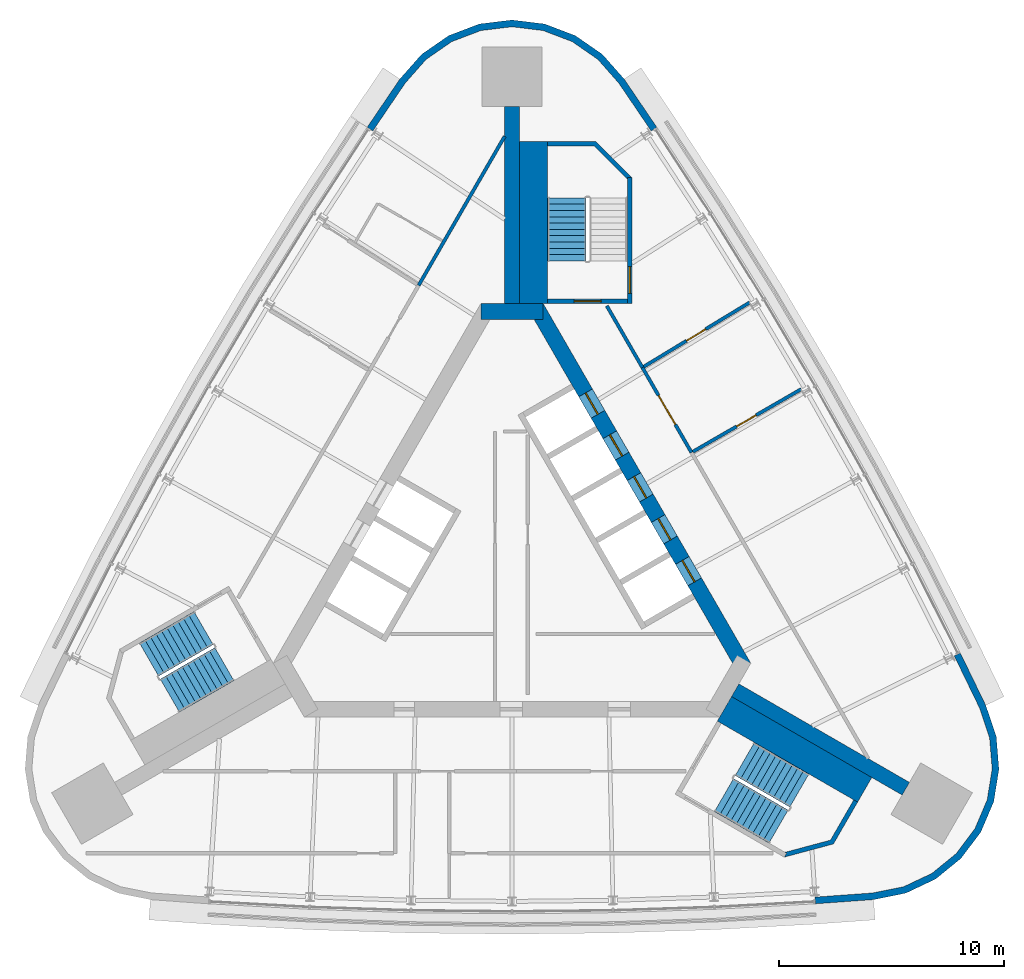
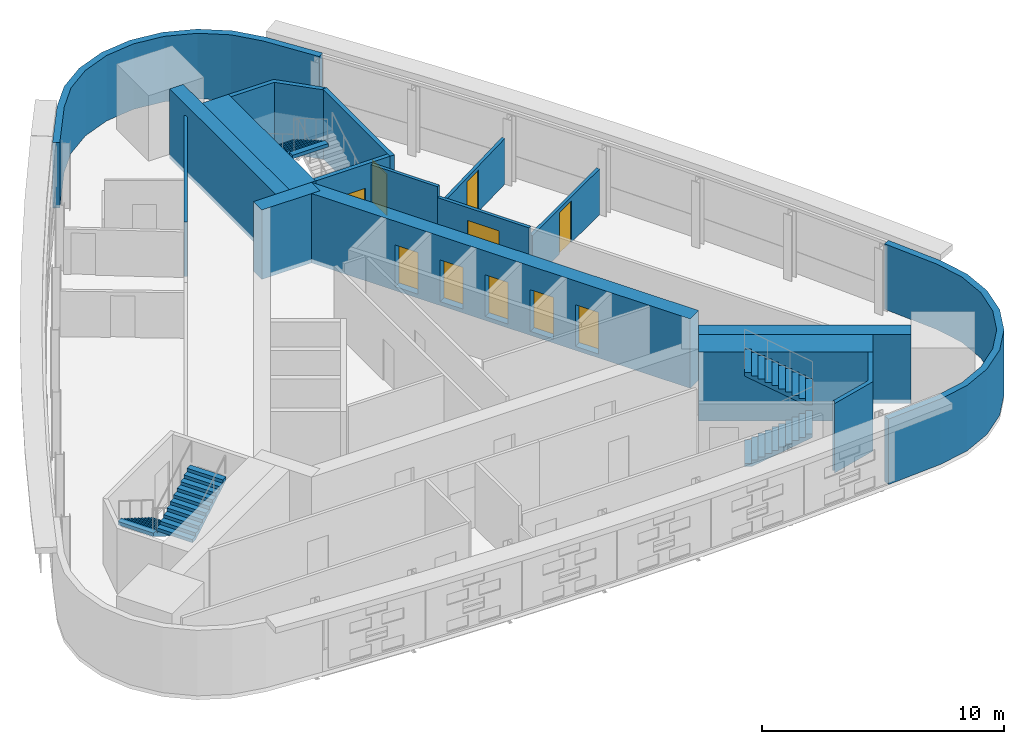
# One storey, part 8 of 11: 17 walls, 10 doors, 5 stair flights, 10 openings, 3 elements without a shape of their own.
"""IFC4 building model written with IfcOpenShell, lengths in metres."""

import ifcopenshell
import ifcopenshell.guid

model = None  # the IFC model being written
_history = None  # IfcOwnerHistory: only IFC2X3 demands one
_inside = {}  # id of a spatial element -> (the spatial element, [elements in it])
_under = {}  # id of a project, library or spatial element -> (it, [spatial elements below it])
_declared = {}  # id of a project -> (the project, [libraries it declares])
_typed = {}  # id of a type object -> (the type object, [elements of that type])
_made_of = {}  # id of a material, layer set ... -> (it, [elements and type objects made of it])


def new_model(schema):
    """Start an empty IFC model of exactly this schema.

    Asked for "IFC4X3", IfcOpenShell would pick the latest addendum, in which some entities
    have other attributes; the version numbers below select the first issue.
    IFC2X3 requires an IfcOwnerHistory on every rooted entity: one is made here for all.
    """
    global model, _history
    if schema == "IFC4X3":
        model = ifcopenshell.file(schema_version=(4, 3, 0, 0))
    else:
        model = ifcopenshell.file(schema=schema)
    _inside.clear()
    _under.clear()
    _declared.clear()
    _typed.clear()
    _made_of.clear()
    _history = None
    if model.schema == "IFC2X3":
        org = make("IfcOrganization", Name="unknown")
        user = make(
            "IfcPersonAndOrganization",
            ThePerson=make("IfcPerson", FamilyName="unknown"),
            TheOrganization=org,
        )
        app = make(
            "IfcApplication",
            ApplicationDeveloper=org,
            Version="unknown",
            ApplicationFullName="unknown",
            ApplicationIdentifier="unknown",
        )
        _history = make(
            "IfcOwnerHistory",
            OwningUser=user,
            OwningApplication=app,
            ChangeAction="ADDED",
            CreationDate=0,
        )
    return model


def make(cls, **values):
    """One entity of the class cls with the attributes given. An attribute that is None is left unset."""
    return model.create_entity(
        cls, **{name: value for name, value in values.items() if value is not None}
    )


def rooted(cls, **values):
    """An entity with a GlobalId (a new one), such as an element, a storey or a relation."""
    return make(cls, GlobalId=ifcopenshell.guid.new(), OwnerHistory=_history, **values)


def si_unit(unit_type, name, prefix=None):
    """IfcSIUnit, for example si_unit("LENGTHUNIT", "METRE", prefix="MILLI")."""
    return make("IfcSIUnit", UnitType=unit_type, Prefix=prefix, Name=name)


def assignment(units):
    """IfcUnitAssignment: the units of a project."""
    return None if units is None else make("IfcUnitAssignment", Units=units)


def point(xyz):
    """IfcCartesianPoint."""
    return None if xyz is None else make("IfcCartesianPoint", Coordinates=xyz)


def direction(xyz):
    """IfcDirection."""
    return None if xyz is None else make("IfcDirection", DirectionRatios=xyz)


def frame(location, z_axis=None, x_axis=None):
    """IfcAxis2Placement3D, a coordinate frame: its origin and axes. An axis left out is left unset."""
    return make(
        "IfcAxis2Placement3D",
        Location=point(location),
        Axis=direction(z_axis),
        RefDirection=direction(x_axis),
    )


def frame_2d(location, x_axis=None):
    """IfcAxis2Placement2D, a coordinate frame in the plane: its origin and x axis."""
    return make(
        "IfcAxis2Placement2D", Location=point(location), RefDirection=direction(x_axis)
    )


def origin():
    """The frame at (0, 0, 0) with its axes left unset."""
    return frame((0.0, 0.0, 0.0))


def place(relative_to, where):
    """IfcLocalPlacement: puts the frame where relative to a parent placement (None: the world)."""
    return make(
        "IfcLocalPlacement", PlacementRelTo=relative_to, RelativePlacement=where
    )


def context(
    kind, dimensions, precision=None, world=None, true_north=None, identifier=None
):
    """IfcGeometricRepresentationContext, for example the 3D "Model" context."""
    return make(
        "IfcGeometricRepresentationContext",
        ContextIdentifier=identifier,
        ContextType=kind,
        CoordinateSpaceDimension=dimensions,
        Precision=precision,
        WorldCoordinateSystem=world,
        TrueNorth=true_north,
    )


def subcontext(parent, identifier, kind, view, scale=None):
    """IfcGeometricRepresentationSubContext, for example "Body" below "Model"."""
    return make(
        "IfcGeometricRepresentationSubContext",
        ContextIdentifier=identifier,
        ContextType=kind,
        ParentContext=parent,
        TargetScale=scale,
        TargetView=view,
    )


def project(units=None, contexts=None):
    """IfcProject with its units and contexts."""
    return rooted(
        "IfcProject",
        Name="project",
        RepresentationContexts=contexts,
        UnitsInContext=assignment(units),
    )


def spatial(cls, under=None, at=None, **own):
    """A site, building, storey or space (cls), placed at a placement, below another one or the project."""
    s = rooted(cls, ObjectPlacement=at, **own)
    if under is not None:
        _under.setdefault(under.id(), (under, []))[1].append(s)
    return s


def polyline(points):
    """IfcPolyline through the points."""
    return make("IfcPolyline", Points=[point(p) for p in points])


def profile(cls, at=None, kind="AREA", **sizes):
    """A parametric profile (cls). Its sizes go by their IFC names, for example OverallWidth=200.0."""
    return make(cls, ProfileType=kind, Position=at, **sizes)


def rectangle(**sizes):
    """IfcRectangleProfileDef."""
    return profile("IfcRectangleProfileDef", **sizes)


def outline(outer, holes=None, kind="AREA"):
    """IfcArbitraryClosedProfileDef: a profile drawn as a closed curve; with holes, ...WithVoids."""
    if holes is None:
        return make("IfcArbitraryClosedProfileDef", ProfileType=kind, OuterCurve=outer)
    return make(
        "IfcArbitraryProfileDefWithVoids",
        ProfileType=kind,
        OuterCurve=outer,
        InnerCurves=holes,
    )


def extrude(swept, where, along, depth):
    """IfcExtrudedAreaSolid: the profile swept, set in the frame where, extruded along a direction by depth."""
    return make(
        "IfcExtrudedAreaSolid",
        SweptArea=swept,
        Position=where,
        ExtrudedDirection=direction(along),
        Depth=depth,
    )


def shape(context_of_items, identifier, shape_type, items):
    """IfcShapeRepresentation: the items that make up one representation, for example the "Body"."""
    return make(
        "IfcShapeRepresentation",
        ContextOfItems=context_of_items,
        RepresentationIdentifier=identifier,
        RepresentationType=shape_type,
        Items=items,
    )


def material(Name=None, Category=None):
    """IfcMaterial."""
    return make("IfcMaterial", Name=Name, Category=Category)


def layer(
    of_material, thickness, ventilated=None, Name=None, Category=None, Priority=None
):
    """IfcMaterialLayer: one layer of a wall or slab, of a material (None: an air gap)."""
    return make(
        "IfcMaterialLayer",
        Material=of_material,
        LayerThickness=thickness,
        IsVentilated=ventilated,
        Name=Name,
        Category=Category,
        Priority=Priority,
    )


def layer_set(layers, Name=None):
    """IfcMaterialLayerSet."""
    return make("IfcMaterialLayerSet", MaterialLayers=layers, LayerSetName=Name)


def made_of(thing, what):
    """Note that an element or type object is made of a material, layer set ...; save() writes the relation."""
    if what is not None:
        _made_of.setdefault(what.id(), (what, []))[1].append(thing)
    return thing


def type_object(cls, material=None, **own):
    """A type object (cls), such as IfcWallType, which elements share."""
    return made_of(rooted(cls, **own), material)


def element(
    cls,
    number,
    at=None,
    inside=None,
    cuts=None,
    type_object=None,
    material=None,
    context=None,
    identifier="Body",
    shape_type=None,
    held_by="IfcProductDefinitionShape",
    body=None,
    shapes=None,
    **own,
):
    """One element of the class cls, such as IfcWall. Its Tag is "e" and its number.

    at: its placement. inside: the storey or other place that contains it. cuts: it is an
    opening in that element (IfcRelVoidsElement). A single representation is given by context,
    identifier, shape_type and body (its items); several are given by shapes. held_by: the class
    of the entity that holds the representations. save() writes the other relations.
    """
    e = rooted(cls, Tag="e%d" % number, ObjectPlacement=at, **own)
    if body is not None:
        shapes = [shape(context, identifier, shape_type, body)]
    if shapes is not None:
        e.Representation = make(held_by, Representations=shapes)
    if inside is not None:
        _inside.setdefault(inside.id(), (inside, []))[1].append(e)
    if cuts is not None:
        rooted(
            "IfcRelVoidsElement", RelatingBuildingElement=cuts, RelatedOpeningElement=e
        )
    if type_object is not None:
        _typed.setdefault(type_object.id(), (type_object, []))[1].append(e)
    return made_of(e, material)


def fill(opening, filler):
    """IfcRelFillsElement: the door or window that sits in an opening."""
    return rooted(
        "IfcRelFillsElement",
        RelatingOpeningElement=opening,
        RelatedBuildingElement=filler,
    )


def aggregate(whole, parts):
    """IfcRelAggregates: a whole, such as a stair, and the parts it consists of."""
    return rooted("IfcRelAggregates", RelatingObject=whole, RelatedObjects=parts)


def save(model, path):
    """Write the relations noted so far, then the file.

    IfcRelAggregates (storeys below a building ...), IfcRelContainedInSpatialStructure (elements
    in a storey), IfcRelDefinesByType, IfcRelAssociatesMaterial and IfcRelDeclares: one each for
    every whole, place, type object, material and project.
    """
    for whole, parts in _under.values():
        aggregate(whole, parts)
    for where, things in _inside.values():
        rooted(
            "IfcRelContainedInSpatialStructure",
            RelatedElements=things,
            RelatingStructure=where,
        )
    for kind, things in _typed.values():
        rooted("IfcRelDefinesByType", RelatedObjects=things, RelatingType=kind)
    for what, things in _made_of.values():
        rooted("IfcRelAssociatesMaterial", RelatedObjects=things, RelatingMaterial=what)
    for by, libraries in _declared.values():
        rooted("IfcRelDeclares", RelatingContext=by, RelatedDefinitions=libraries)
    model.write(path)


model = new_model("IFC4")

# Units and contexts
model_context = context("Model", 3, precision=1e-05, world=origin(), true_north=direction((0.0, 1.0)))
body_context = subcontext(model_context, "Body", "Model", "MODEL_VIEW")
ifc_project = project(units=[si_unit("LENGTHUNIT", "METRE"), si_unit("AREAUNIT", "SQUARE_METRE"), si_unit("VOLUMEUNIT", "CUBIC_METRE"), si_unit("PLANEANGLEUNIT", "RADIAN"), si_unit("MASSUNIT", "GRAM", prefix="KILO")], contexts=[model_context])

# Site, building, storey
site_placement = place(None, origin())
site = spatial("IfcSite", under=ifc_project, at=site_placement, CompositionType="ELEMENT")
building_placement = place(site_placement, origin())
building = spatial("IfcBuilding", under=site, at=building_placement, Name="Noor Cloister Tower", CompositionType="ELEMENT")
storey_placement = place(building_placement, frame((0.0, 0.0, 206.699951171875)))
storey = spatial("IfcBuildingStorey", under=building, at=storey_placement, Name="L53", CompositionType="ELEMENT", Elevation=206.699951171875)

# Walls
ifc_material_1 = material(Name="Concrete C70/85", Category="concrete")
ifc_layer_1 = layer(ifc_material_1, 0.64990234375)
ifc_layer_set_1 = layer_set([ifc_layer_1], Name="Buttress wall 650 C70/85")
wall_type_1 = type_object("IfcWallType", Name="Buttress wall 650 C70/85", PredefinedType="SHEAR", material=ifc_layer_set_1)
wall_1_placement = place(storey_placement, frame((0.0, 11.456298828125, -0.199951171875), z_axis=(0.0, 0.0, 1.0), x_axis=(0.0, 1.0, 0.0)))
element("IfcWall", 1, at=wall_1_placement, inside=storey, type_object=wall_type_1, Name="Buttress wall N L53", PredefinedType="SHEAR", context=body_context, shape_type="SweptSolid", body=[
    extrude(rectangle(XDim=8.7578125, YDim=0.64990234375, at=frame_2d((4.37890625, 0.0))), origin(), (0.0, 0.0, 1.0), 3.5),
])
wall_2_placement = place(storey_placement, frame((9.921630859375, -5.728271484375, -0.199951171875), z_axis=(0.0, 0.0, 1.0), x_axis=(0.866030064713, -0.499991926948, 0.0)))
element("IfcWall", 2, at=wall_2_placement, inside=storey, type_object=wall_type_1, Name="Buttress wall SE L53", PredefinedType="SHEAR", context=body_context, shape_type="SweptSolid", body=[
    extrude(rectangle(XDim=8.757568359375, YDim=0.64990234375, at=frame_2d((4.37890625, 0.0))), origin(), (0.0, 0.0, 1.0), 3.5),
])

# Wall, openings, doors
ifc_material_2 = material(Name="Concrete C70/85", Category="concrete")
ifc_layer_2 = layer(ifc_material_2, 0.699951171875)
ifc_layer_set_2 = layer_set([ifc_layer_2], Name="Core wall 700 C70/85")
wall_type_2 = type_object("IfcWallType", Name="Core wall 700 C70/85", PredefinedType="SHEAR", material=ifc_layer_set_2)
wall_3_placement = place(storey_placement, frame((10.311279296875, -4.703125, -0.199951171875), z_axis=(0.0, 0.0, 1.0), x_axis=(-0.500001446645, 0.866024568562, 0.0)))
wall_3 = element("IfcWall", 3, at=wall_3_placement, inside=storey, type_object=wall_type_2, Name="Core wall L53 3", PredefinedType="SHEAR", context=body_context, shape_type="SweptSolid", body=[
    extrude(rectangle(XDim=18.45751953125, YDim=0.699951171875, at=frame_2d((9.228759765625, 0.0))), origin(), (0.0, 0.0, 1.0), 3.5),
])
opening_1_placement = place(wall_3_placement, frame((4.378662109375, 0.0, 0.199951171875)))
opening_1 = element("IfcOpeningElement", 4, at=opening_1_placement, cuts=wall_3, Name="Opening L53-HR1", PredefinedType="OPENING", context=body_context, shape_type="SweptSolid", body=[
    extrude(rectangle(XDim=1.10009765625, YDim=2.10009765625, at=frame_2d((0.550048828125, 1.050048828125))), frame((0.0, 0.35986328125, 0.0), z_axis=(0.0, -1.0, 0.0), x_axis=(1.0, 0.0, 0.0)), (0.0, 0.0, 1.0), 0.719970703125),
])
opening_2_placement = place(wall_3_placement, frame((6.52880859375, 0.0, 0.199951171875)))
opening_2 = element("IfcOpeningElement", 5, at=opening_2_placement, cuts=wall_3, Name="Opening L53-HR2", PredefinedType="OPENING", context=body_context, shape_type="SweptSolid", body=[
    extrude(rectangle(XDim=1.10009765625, YDim=2.10009765625, at=frame_2d((0.550048828125, 1.050048828125))), frame((0.0, 0.35986328125, 0.0), z_axis=(0.0, -1.0, 0.0), x_axis=(1.0, 0.0, 0.0)), (0.0, 0.0, 1.0), 0.719970703125),
])
opening_3_placement = place(wall_3_placement, frame((8.6787109375, 0.0, 0.199951171875)))
opening_3 = element("IfcOpeningElement", 6, at=opening_3_placement, cuts=wall_3, Name="Opening L53-HR3", PredefinedType="OPENING", context=body_context, shape_type="SweptSolid", body=[
    extrude(rectangle(XDim=1.10009765625, YDim=2.10009765625, at=frame_2d((0.550048828125, 1.050048828125))), frame((0.0, 0.35986328125, 0.0), z_axis=(0.0, -1.0, 0.0), x_axis=(1.0, 0.0, 0.0)), (0.0, 0.0, 1.0), 0.719970703125),
])
opening_4_placement = place(wall_3_placement, frame((10.82861328125, 0.0, 0.199951171875)))
opening_4 = element("IfcOpeningElement", 7, at=opening_4_placement, cuts=wall_3, Name="Opening L53-HR4", PredefinedType="OPENING", context=body_context, shape_type="SweptSolid", body=[
    extrude(rectangle(XDim=1.10009765625, YDim=2.10009765625, at=frame_2d((0.550048828125, 1.050048828125))), frame((0.0, 0.35986328125, 0.0), z_axis=(0.0, -1.0, 0.0), x_axis=(1.0, 0.0, 0.0)), (0.0, 0.0, 1.0), 0.719970703125),
])
opening_5_placement = place(wall_3_placement, frame((12.978759765625, 0.0, 0.199951171875)))
opening_5 = element("IfcOpeningElement", 8, at=opening_5_placement, cuts=wall_3, Name="Opening L53-HR5", PredefinedType="OPENING", context=body_context, shape_type="SweptSolid", body=[
    extrude(rectangle(XDim=1.10009765625, YDim=2.10009765625, at=frame_2d((0.550048828125, 1.050048828125))), frame((0.0, 0.35986328125, 0.0), z_axis=(0.0, -1.0, 0.0), x_axis=(1.0, 0.0, 0.0)), (0.0, 0.0, 1.0), 0.719970703125),
])
ifc_material_3 = material(Name="Stainless steel", Category="steel")
door_type_1 = type_object("IfcDoorType", Name="Lift landing door 1100 x 2100", OperationType="DOUBLE_DOOR_SLIDING", PredefinedType="DOOR", material=ifc_material_3)
door_1_placement = place(opening_1_placement, origin())
door_1 = element("IfcDoor", 9, at=door_1_placement, inside=storey, type_object=door_type_1, Name="Landing door HR1 L53", OperationType="DOUBLE_DOOR_SLIDING", OverallHeight=2.10009765625, OverallWidth=1.10009765625, PredefinedType="DOOR", context=body_context, shape_type="SweptSolid", body=[
    extrude(rectangle(XDim=1.10009765625, YDim=2.10009765625, at=frame_2d((0.550048828125, 1.050048828125))), frame((0.0, 0.02490234375, 0.0), z_axis=(0.0, -1.0, 0.0), x_axis=(1.0, 0.0, 0.0)), (0.0, 0.0, 1.0), 0.050048828125),
])
fill(opening_1, door_1)
door_2_placement = place(opening_2_placement, origin())
door_2 = element("IfcDoor", 10, at=door_2_placement, inside=storey, type_object=door_type_1, Name="Landing door HR2 L53", OperationType="DOUBLE_DOOR_SLIDING", OverallHeight=2.10009765625, OverallWidth=1.10009765625, PredefinedType="DOOR", context=body_context, shape_type="SweptSolid", body=[
    extrude(rectangle(XDim=1.10009765625, YDim=2.10009765625, at=frame_2d((0.550048828125, 1.050048828125))), frame((0.0, 0.02490234375, 0.0), z_axis=(0.0, -1.0, 0.0), x_axis=(1.0, 0.0, 0.0)), (0.0, 0.0, 1.0), 0.050048828125),
])
fill(opening_2, door_2)
door_3_placement = place(opening_3_placement, origin())
door_3 = element("IfcDoor", 11, at=door_3_placement, inside=storey, type_object=door_type_1, Name="Landing door HR3 L53", OperationType="DOUBLE_DOOR_SLIDING", OverallHeight=2.10009765625, OverallWidth=1.10009765625, PredefinedType="DOOR", context=body_context, shape_type="SweptSolid", body=[
    extrude(rectangle(XDim=1.10009765625, YDim=2.10009765625, at=frame_2d((0.550048828125, 1.050048828125))), frame((0.0, 0.02490234375, 0.0), z_axis=(0.0, -1.0, 0.0), x_axis=(1.0, 0.0, 0.0)), (0.0, 0.0, 1.0), 0.050048828125),
])
fill(opening_3, door_3)
door_4_placement = place(opening_4_placement, origin())
door_4 = element("IfcDoor", 12, at=door_4_placement, inside=storey, type_object=door_type_1, Name="Landing door HR4 L53", OperationType="DOUBLE_DOOR_SLIDING", OverallHeight=2.10009765625, OverallWidth=1.10009765625, PredefinedType="DOOR", context=body_context, shape_type="SweptSolid", body=[
    extrude(rectangle(XDim=1.10009765625, YDim=2.10009765625, at=frame_2d((0.550048828125, 1.050048828125))), frame((0.0, 0.02490234375, 0.0), z_axis=(0.0, -1.0, 0.0), x_axis=(1.0, 0.0, 0.0)), (0.0, 0.0, 1.0), 0.050048828125),
])
fill(opening_4, door_4)
door_5_placement = place(opening_5_placement, origin())
door_5 = element("IfcDoor", 13, at=door_5_placement, inside=storey, type_object=door_type_1, Name="Landing door HR5 L53", OperationType="DOUBLE_DOOR_SLIDING", OverallHeight=2.10009765625, OverallWidth=1.10009765625, PredefinedType="DOOR", context=body_context, shape_type="SweptSolid", body=[
    extrude(rectangle(XDim=1.10009765625, YDim=2.10009765625, at=frame_2d((0.550048828125, 1.050048828125))), frame((0.0, 0.02490234375, 0.0), z_axis=(0.0, -1.0, 0.0), x_axis=(1.0, 0.0, 0.0)), (0.0, 0.0, 1.0), 0.050048828125),
])
fill(opening_5, door_5)

# Walls
wall_4_placement = place(storey_placement, frame((1.3857421875, 11.1064453125, -0.199951171875), z_axis=(0.0, 0.0, 1.0), x_axis=(-1.0, 0.0, 0.0)))
element("IfcWall", 14, at=wall_4_placement, inside=storey, type_object=wall_type_2, Name="Core wall L53 4", PredefinedType="SHEAR", context=body_context, shape_type="SweptSolid", body=[
    extrude(rectangle(XDim=2.771484375, YDim=0.699951171875, at=frame_2d((1.3857421875, 0.0))), origin(), (0.0, 0.0, 1.0), 3.5),
])
ifc_material_4 = material(Name="Fire-rated gypsum board partition on steel studs, 150 mm", Category="steel")
ifc_layer_3 = layer(ifc_material_4, 0.14990234375)
ifc_layer_set_3 = layer_set([ifc_layer_3], Name="Fire lobby wall 150")
wall_type_3 = type_object("IfcWallType", Name="Fire lobby wall 150", PredefinedType="PARTITIONING", material=ifc_layer_set_3)
wall_5_placement = place(storey_placement, frame((-0.324951171875, 18.8935546875, 0.0), z_axis=(0.0, 0.0, 1.0), x_axis=(-0.499994868576, -0.866028366393, 0.0)))
element("IfcWall", 15, at=wall_5_placement, inside=storey, type_object=wall_type_3, Name="Wall L53-W14", PredefinedType="PARTITIONING", context=body_context, shape_type="SweptSolid", body=[
    extrude(rectangle(XDim=7.654296875, YDim=0.14990234375, at=frame_2d((3.8271484375, 0.0))), origin(), (0.0, 0.0, 1.0), 2.751953125),
])
ifc_material_5 = material(Name="Gypsum board partition on steel studs, 150 mm", Category="steel")
ifc_layer_4 = layer(ifc_material_5, 0.14990234375)
ifc_layer_set_4 = layer_set([ifc_layer_4], Name="Flat wall 150")
wall_type_4 = type_object("IfcWallType", Name="Flat wall 150", PredefinedType="PARTITIONING", material=ifc_layer_set_4)
wall_6_placement = place(storey_placement, frame((5.79736328125, 8.614990234375, 0.0), z_axis=(0.0, 0.0, 1.0), x_axis=(-0.499996172356, 0.866027613664, 0.0)))
element("IfcWall", 16, at=wall_6_placement, inside=storey, type_object=wall_type_4, Name="Wall L53-W02", PredefinedType="PARTITIONING", context=body_context, shape_type="SweptSolid", body=[
    extrude(rectangle(XDim=3.16552734375, YDim=0.14990234375, at=frame_2d((1.582763671875, 0.0))), origin(), (0.0, 0.0, 1.0), 3.300048828125),
])

# Wall, opening, door
wall_7_placement = place(storey_placement, frame((12.859619140625, 7.655517578125, 0.0), z_axis=(0.0, 0.0, 1.0), x_axis=(-0.866013784358, -0.500020124897, 0.0)))
wall_7 = element("IfcWall", 17, at=wall_7_placement, inside=storey, type_object=wall_type_4, Name="Wall L53-W03", PredefinedType="PARTITIONING", context=body_context, shape_type="SweptSolid", body=[
    extrude(rectangle(XDim=5.561279296875, YDim=0.14990234375, at=frame_2d((2.78076171875, 0.0))), origin(), (0.0, 0.0, 1.0), 2.297119140625),
])
opening_6_placement = place(wall_7_placement, frame((2.318115234375, 0.0, 0.0)))
opening_6 = element("IfcOpeningElement", 18, at=opening_6_placement, cuts=wall_7, Name="Opening L53-002", PredefinedType="OPENING", context=body_context, shape_type="SweptSolid", body=[
    extrude(rectangle(XDim=1.0, YDim=2.10009765625, at=frame_2d((0.5, 1.050048828125))), frame((0.0, 0.0849609375, 0.0), z_axis=(0.0, -1.0, 0.0), x_axis=(1.0, 0.0, 0.0)), (0.0, 0.0, 1.0), 0.169921875),
])
ifc_material_6 = material(Name="Timber door leaf with steel frame", Category="steel")
door_type_2 = type_object("IfcDoorType", Name="Interior door 1000 FD60", OperationType="NOTDEFINED", PredefinedType="DOOR", material=ifc_material_6)
door_6_placement = place(opening_6_placement, origin())
door_6 = element("IfcDoor", 19, at=door_6_placement, inside=storey, type_object=door_type_2, Name="Door L53-002", OperationType="SINGLE_SWING_RIGHT", OverallHeight=2.10009765625, OverallWidth=1.0, PredefinedType="DOOR", context=body_context, shape_type="SweptSolid", body=[
    extrude(rectangle(XDim=1.0, YDim=2.10009765625, at=frame_2d((0.5, 1.050048828125))), frame((0.0, 0.02490234375, 0.0), z_axis=(0.0, -1.0, 0.0), x_axis=(1.0, 0.0, 0.0)), (0.0, 0.0, 1.0), 0.050048828125),
])
fill(opening_6, door_6)

wall_8_placement = place(storey_placement, frame((10.5712890625, 11.51220703125, 0.0), z_axis=(0.0, 0.0, 1.0), x_axis=(-0.854873861195, -0.518835890668, 0.0)))
wall_8 = element("IfcWall", 20, at=wall_8_placement, inside=storey, type_object=wall_type_4, Name="Wall L53-W04", PredefinedType="PARTITIONING", context=body_context, shape_type="SweptSolid", body=[
    extrude(rectangle(XDim=5.50927734375, YDim=0.14990234375, at=frame_2d((2.754638671875, 0.0))), origin(), (0.0, 0.0, 1.0), 2.297119140625),
])
opening_7_placement = place(wall_8_placement, frame((2.292236328125, 0.0, 0.0)))
opening_7 = element("IfcOpeningElement", 21, at=opening_7_placement, cuts=wall_8, Name="Opening L53-003", PredefinedType="OPENING", context=body_context, shape_type="SweptSolid", body=[
    extrude(rectangle(XDim=1.0, YDim=2.10009765625, at=frame_2d((0.5, 1.050048828125))), frame((0.0, 0.0849609375, 0.0), z_axis=(0.0, -1.0, 0.0), x_axis=(1.0, 0.0, 0.0)), (0.0, 0.0, 1.0), 0.169921875),
])
door_7_placement = place(opening_7_placement, origin())
door_7 = element("IfcDoor", 22, at=door_7_placement, inside=storey, type_object=door_type_2, Name="Door L53-003", OperationType="SINGLE_SWING_LEFT", OverallHeight=2.10009765625, OverallWidth=1.0, PredefinedType="DOOR", context=body_context, shape_type="SweptSolid", body=[
    extrude(rectangle(XDim=1.0, YDim=2.10009765625, at=frame_2d((0.5, 1.050048828125))), frame((0.0, 0.02490234375, 0.0), z_axis=(0.0, -1.0, 0.0), x_axis=(1.0, 0.0, 0.0)), (0.0, 0.0, 1.0), 0.050048828125),
])
fill(opening_7, door_7)

wall_9_placement = place(storey_placement, frame((7.978515625, 4.83740234375, 0.0), z_axis=(0.0, 0.0, 1.0), x_axis=(-0.500027674414, 0.866009425365, 0.0)))
wall_9 = element("IfcWall", 23, at=wall_9_placement, inside=storey, type_object=wall_type_4, Name="Wall L53-W05", PredefinedType="PARTITIONING", context=body_context, shape_type="SweptSolid", body=[
    extrude(rectangle(XDim=4.362060546875, YDim=0.14990234375, at=frame_2d((2.18115234375, 0.0))), origin(), (0.0, 0.0, 1.0), 2.751953125),
])
opening_8_placement = place(wall_9_placement, frame((1.430908203125, 0.0, 0.0)))
opening_8 = element("IfcOpeningElement", 24, at=opening_8_placement, cuts=wall_9, Name="Opening L53-001", PredefinedType="OPENING", context=body_context, shape_type="SweptSolid", body=[
    extrude(rectangle(XDim=1.5, YDim=2.10009765625, at=frame_2d((0.75, 1.050048828125))), frame((0.0, 0.0849609375, 0.0), z_axis=(0.0, -1.0, 0.0), x_axis=(1.0, 0.0, 0.0)), (0.0, 0.0, 1.0), 0.169921875),
])
ifc_material_7 = material(Name="Timber door leaf with steel frame", Category="steel")
door_type_3 = type_object("IfcDoorType", Name="Double door 1500 FD60", OperationType="NOTDEFINED", PredefinedType="DOOR", material=ifc_material_7)
door_8_placement = place(opening_8_placement, origin())
door_8 = element("IfcDoor", 25, at=door_8_placement, inside=storey, type_object=door_type_3, Name="Door L53-001", OperationType="DOUBLE_DOOR_SINGLE_SWING", OverallHeight=2.10009765625, OverallWidth=1.5, PredefinedType="DOOR", context=body_context, shape_type="SweptSolid", body=[
    extrude(rectangle(XDim=1.5, YDim=2.10009765625, at=frame_2d((0.75, 1.050048828125))), frame((0.0, 0.02490234375, 0.0), z_axis=(0.0, -1.0, 0.0), x_axis=(1.0, 0.0, 0.0)), (0.0, 0.0, 1.0), 0.050048828125),
])
fill(opening_8, door_8)

# Walls
ifc_material_8 = material(Name="Limestone", Category="masonry")
ifc_layer_5 = layer(ifc_material_8, 0.300048828125)
ifc_layer_set_5 = layer_set([ifc_layer_5], Name="Limestone cladding 300")
wall_type_5 = type_object("IfcWallType", Name="Limestone cladding 300", PredefinedType="NOTDEFINED", material=ifc_layer_set_5)
wall_10_placement = place(storey_placement, origin())
element("IfcWall", 26, at=wall_10_placement, inside=storey, type_object=wall_type_5, Name="Limestone pier cladding L53 2.1", PredefinedType="NOTDEFINED", context=body_context, shape_type="SweptSolid", body=[
    extrude(outline(polyline([(13.490234375, -15.2236328125), (16.074951171875, -15.037353515625), (17.507568359375, -14.747802734375), (18.82861328125, -14.123291015625), (19.96142578125, -13.199951171875), (20.83984375, -12.03173828125), (21.412353515625, -10.687255859375), (21.6455078125, -9.24462890625), (21.52587890625, -7.7880859375), (21.060302734375, -6.40283203125), (19.92919921875, -4.071044921875), (19.659423828125, -4.201904296875), (20.781982421875, -6.516357421875), (21.229736328125, -7.848876953125), (21.343505859375, -9.232666015625), (21.121826171875, -10.603271484375), (20.578125, -11.880859375), (19.74365234375, -12.990478515625), (18.66748046875, -13.86767578125), (17.412353515625, -14.4609375), (16.034423828125, -14.739501953125), (13.46875, -14.924560546875), (13.490234375, -15.2236328125)])), origin(), (0.0, 0.0, 1.0), 3.300048828125),
])
wall_11_placement = place(storey_placement, origin())
element("IfcWall", 27, at=wall_11_placement, inside=storey, type_object=wall_type_5, Name="Limestone pier cladding L53 3.1", PredefinedType="NOTDEFINED", context=body_context, shape_type="SweptSolid", body=[
    extrude(outline(polyline([(6.43896484375, 19.294677734375), (4.985107421875, 21.43994140625), (4.018310546875, 22.535888671875), (2.816650390625, 23.36767578125), (1.45068359375, 23.88720703125), (0.0, 24.063720703125), (-1.45068359375, 23.88720703125), (-2.816650390625, 23.36767578125), (-4.018310546875, 22.535888671875), (-4.985107421875, 21.43994140625), (-6.43896484375, 19.294677734375), (-6.190673828125, 19.12646484375), (-4.74755859375, 21.255859375), (-3.8173828125, 22.31005859375), (-2.676025390625, 23.100341796875), (-1.378173828125, 23.59375), (0.0, 23.761474609375), (1.378173828125, 23.59375), (2.676025390625, 23.100341796875), (3.8173828125, 22.31005859375), (4.74755859375, 21.255859375), (6.190673828125, 19.12646484375), (6.43896484375, 19.294677734375)])), origin(), (0.0, 0.0, 1.0), 3.300048828125),
])
ifc_material_9 = material(Name="Concrete C70/85", Category="concrete")
ifc_layer_6 = layer(ifc_material_9, 1.260986328125)
ifc_layer_set_6 = layer_set([ifc_layer_6], Name="Stair enclosure wall 1261 C70/85")
wall_type_6 = type_object("IfcWallType", Name="Stair enclosure wall 1261 C70/85", PredefinedType="SHEAR", material=ifc_layer_set_6)
wall_12_placement = place(storey_placement, frame((0.955322265625, 11.456298828125, -0.199951171875), z_axis=(0.0, 0.0, 1.0), x_axis=(0.0, 1.0, 0.0)))
element("IfcWall", 28, at=wall_12_placement, inside=storey, type_object=wall_type_6, Name="Stair enclosure wall ST1 L53 riser side", PredefinedType="SHEAR", context=body_context, shape_type="SweptSolid", body=[
    extrude(rectangle(XDim=7.2001953125, YDim=1.2607421875, at=frame_2d((3.60009765625, 0.0))), origin(), (0.0, 0.0, 1.0), 3.5),
])
wall_13_placement = place(storey_placement, frame((9.44384765625, -6.555419921875, -0.199951171875), z_axis=(0.0, 0.0, 1.0), x_axis=(0.866018442252, -0.500012057535, 0.0)))
element("IfcWall", 29, at=wall_13_placement, inside=storey, type_object=wall_type_6, Name="Stair enclosure wall ST3 L53 riser side", PredefinedType="SHEAR", context=body_context, shape_type="SweptSolid", body=[
    extrude(rectangle(XDim=7.199951171875, YDim=1.2607421875, at=frame_2d((3.60009765625, 0.0))), origin(), (0.0, 0.0, 1.0), 3.5),
])

# Wall, opening, door
ifc_material_10 = material(Name="Concrete C70/85", Category="concrete")
ifc_layer_7 = layer(ifc_material_10, 0.199951171875)
ifc_layer_set_7 = layer_set([ifc_layer_7], Name="Stair enclosure wall 200 C70/85")
wall_type_7 = type_object("IfcWallType", Name="Stair enclosure wall 200 C70/85", PredefinedType="SHEAR", material=ifc_layer_set_7)
wall_14_placement = place(storey_placement, frame((5.135498046875, 11.556396484375, -0.199951171875), z_axis=(0.0, 0.0, 1.0), x_axis=(-1.0, 0.0, 0.0)))
wall_14 = element("IfcWall", 30, at=wall_14_placement, inside=storey, type_object=wall_type_7, Name="Stair enclosure wall ST1 L53 near end", PredefinedType="SHEAR", context=body_context, shape_type="SweptSolid", body=[
    extrude(rectangle(XDim=3.5498046875, YDim=0.199951171875, at=frame_2d((1.77490234375, 0.0))), origin(), (0.0, 0.0, 1.0), 3.5),
])
opening_9_placement = place(wall_14_placement, frame((1.175048828125, 0.0, 0.199951171875)))
opening_9 = element("IfcOpeningElement", 31, at=opening_9_placement, cuts=wall_14, Name="Opening L53-ST1L", PredefinedType="OPENING", context=body_context, shape_type="SweptSolid", body=[
    extrude(rectangle(XDim=1.199951171875, YDim=2.10009765625, at=frame_2d((0.60009765625, 1.050048828125))), frame((0.0, 0.10986328125, 0.0), z_axis=(0.0, -1.0, 0.0), x_axis=(1.0, 0.0, 0.0)), (0.0, 0.0, 1.0), 0.219970703125),
])
ifc_material_11 = material(Name="Steel", Category="steel")
door_type_4 = type_object("IfcDoorType", Name="Stair door 1200 x 2100 FD120", OperationType="SINGLE_SWING_LEFT", PredefinedType="DOOR", material=ifc_material_11)
door_9_placement = place(opening_9_placement, origin())
door_9 = element("IfcDoor", 32, at=door_9_placement, inside=storey, type_object=door_type_4, Name="Stair door ST1 L53", OperationType="SINGLE_SWING_RIGHT", OverallHeight=2.10009765625, OverallWidth=1.199951171875, PredefinedType="DOOR", context=body_context, shape_type="SweptSolid", body=[
    extrude(rectangle(XDim=1.199951171875, YDim=2.10009765625, at=frame_2d((0.60009765625, 1.050048828125))), frame((0.0, 0.02490234375, 0.0), z_axis=(0.0, -1.0, 0.0), x_axis=(1.0, 0.0, 0.0)), (0.0, 0.0, 1.0), 0.050048828125),
])
fill(opening_9, door_9)

wall_15_placement = place(storey_placement, frame((5.235595703125, 11.456298828125, -0.199951171875), z_axis=(0.0, 0.0, 1.0), x_axis=(0.0, 1.0, 0.0)))
wall_15 = element("IfcWall", 33, at=wall_15_placement, inside=storey, type_object=wall_type_7, Name="Stair enclosure wall ST1 L53 outer side", PredefinedType="SHEAR", context=body_context, shape_type="SweptSolid", body=[
    extrude(rectangle(XDim=5.60009765625, YDim=0.199951171875, at=frame_2d((2.800048828125, 0.0))), origin(), (0.0, 0.0, 1.0), 3.5),
])
opening_10_placement = place(wall_15_placement, frame((0.449951171875, 0.0, 0.199951171875)))
opening_10 = element("IfcOpeningElement", 34, at=opening_10_placement, cuts=wall_15, Name="Opening L53-ST1C", PredefinedType="OPENING", context=body_context, shape_type="SweptSolid", body=[
    extrude(rectangle(XDim=1.199951171875, YDim=2.10009765625, at=frame_2d((0.60009765625, 1.050048828125))), frame((0.0, 0.10986328125, 0.0), z_axis=(0.0, -1.0, 0.0), x_axis=(1.0, 0.0, 0.0)), (0.0, 0.0, 1.0), 0.219970703125),
])
door_10_placement = place(opening_10_placement, origin())
door_10 = element("IfcDoor", 35, at=door_10_placement, inside=storey, type_object=door_type_4, Name="Stair door ST1 L53", OperationType="SINGLE_SWING_LEFT", OverallHeight=2.10009765625, OverallWidth=1.199951171875, PredefinedType="DOOR", context=body_context, shape_type="SweptSolid", body=[
    extrude(rectangle(XDim=1.199951171875, YDim=2.10009765625, at=frame_2d((0.60009765625, 1.050048828125))), frame((0.0, 0.02490234375, 0.0), z_axis=(0.0, -1.0, 0.0), x_axis=(1.0, 0.0, 0.0)), (0.0, 0.0, 1.0), 0.050048828125),
])
fill(opening_10, door_10)

# Walls
ifc_material_12 = material(Name="Concrete C70/85", Category="concrete")
wall_type_8 = type_object("IfcWallType", Name="Stair far end wall C70/85", PredefinedType="SHEAR", material=ifc_material_12)
wall_16_placement = place(storey_placement, frame((0.0, 0.0, -0.199951171875)))
element("IfcWall", 36, at=wall_16_placement, inside=storey, type_object=wall_type_8, Name="Stair enclosure wall ST1 L53 far end", PredefinedType="SHEAR", context=body_context, shape_type="SweptSolid", body=[
    extrude(outline(polyline([(5.335693359375, 17.056396484375), (3.735595703125, 18.656494140625), (1.585693359375, 18.656494140625), (1.585693359375, 18.456298828125), (3.65283203125, 18.456298828125), (5.135498046875, 16.9736328125), (5.135498046875, 17.056396484375), (5.135498046875, 17.056396484375), (5.135498046875, 17.056396484375), (5.135498046875, 17.056396484375), (5.135498046875, 17.056396484375), (5.135498046875, 17.056396484375), (5.135498046875, 17.056396484375), (5.135498046875, 17.056396484375), (5.135498046875, 17.056396484375), (5.135498046875, 17.056396484375), (5.135498046875, 17.056396484375), (5.135498046875, 17.056396484375), (5.135498046875, 17.056396484375), (5.135498046875, 17.056396484375), (5.135498046875, 17.056396484375), (5.135498046875, 17.056396484375), (5.135498046875, 17.056396484375), (5.335693359375, 17.056396484375)])), origin(), (0.0, 0.0, 1.0), 3.5),
])
wall_17_placement = place(storey_placement, frame((0.0, 0.0, -0.199951171875)))
element("IfcWall", 37, at=wall_17_placement, inside=storey, type_object=wall_type_8, Name="Stair enclosure wall ST3 L53 far end", PredefinedType="SHEAR", context=body_context, shape_type="SweptSolid", body=[
    extrude(outline(polyline([(12.103515625, -13.14892578125), (14.2890625, -12.5634765625), (15.364013671875, -10.701416015625), (15.19091796875, -10.601318359375), (14.1572265625, -12.3916015625), (12.131591796875, -12.934326171875), (12.20361328125, -12.975830078125), (12.20361328125, -12.975830078125), (12.20361328125, -12.975830078125), (12.20361328125, -12.975830078125), (12.20361328125, -12.975830078125), (12.20361328125, -12.975830078125), (12.20361328125, -12.975830078125), (12.20361328125, -12.975830078125), (12.20361328125, -12.975830078125), (12.20361328125, -12.975830078125), (12.20361328125, -12.975830078125), (12.20361328125, -12.975830078125), (12.20361328125, -12.975830078125), (12.20361328125, -12.975830078125), (12.20361328125, -12.975830078125), (12.20361328125, -12.975830078125), (12.20361328125, -12.975830078125), (12.103515625, -13.14892578125)])), origin(), (0.0, 0.0, 1.0), 3.5),
])

# Stair, stair flight
ifc_material_13 = material(Name="Concrete C40/50", Category="concrete")
stair_type = type_object("IfcStairType", Name="Exit stair 22 risers", PredefinedType="HALF_TURN_STAIR", material=ifc_material_13)
stair_1_placement = place(storey_placement, origin())
stair_1 = element("IfcStair", 38, at=stair_1_placement, inside=storey, type_object=stair_type, Name="Exit stair ST1 L53", PredefinedType="HALF_TURN_STAIR")
ifc_material_14 = material(Name="Concrete C40/50", Category="concrete")
stair_flight_type = type_object("IfcStairFlightType", Name="Exit stair flight", PredefinedType="STRAIGHT", material=ifc_material_14)
stair_flight_1_placement = place(storey_placement, frame((2.435546875, 16.156494140625, 1.800048828125), z_axis=(0.0, 0.0, 1.0), x_axis=(0.0, -1.0, 0.0)))
stair_flight_1 = element("IfcStairFlight", 39, at=stair_flight_1_placement, type_object=stair_flight_type, Name="ST1 flight 2", NumberOfRisers=11, NumberOfTreads=10, PredefinedType="STRAIGHT", RiserHeight=0.163636364, TreadLength=0.28, context=body_context, shape_type="SweptSolid", body=[
    extrude(outline(polyline([(0.0, 0.0), (0.0, 0.16357421875), (0.280029296875, 0.16357421875), (0.280029296875, 0.327392578125), (0.56005859375, 0.327392578125), (0.56005859375, 0.490966796875), (0.840087890625, 0.490966796875), (0.840087890625, 0.654541015625), (1.1201171875, 0.654541015625), (1.1201171875, 0.818115234375), (1.39990234375, 0.818115234375), (1.39990234375, 0.98193359375), (1.679931640625, 0.98193359375), (1.679931640625, 1.1455078125), (1.9599609375, 1.1455078125), (1.9599609375, 1.30908203125), (2.239990234375, 1.30908203125), (2.239990234375, 1.47265625), (2.52001953125, 1.47265625), (2.52001953125, 1.636474609375), (2.800048828125, 1.636474609375), (2.800048828125, 1.800048828125), (2.800048828125, 1.462646484375), (0.297119140625, 0.0), (0.0, 0.0)])), frame((0.0, 0.85009765625, 0.0), z_axis=(0.0, -1.0, 0.0), x_axis=(1.0, 0.0, 0.0)), (0.0, 0.0, 1.0), 1.699951171875),
])
aggregate(stair_1, [stair_flight_1])

# Stair, stair flights
stair_2_placement = place(storey_placement, origin())
stair_2 = element("IfcStair", 40, at=stair_2_placement, inside=storey, type_object=stair_type, Name="Exit stair ST2 L53", PredefinedType="HALF_TURN_STAIR")
stair_flight_2_placement = place(storey_placement, frame((-13.709716796875, -2.966796875, 0.0), z_axis=(0.0, 0.0, 1.0), x_axis=(-0.866025403784, -0.5, 0.0)))
stair_flight_2 = element("IfcStairFlight", 41, at=stair_flight_2_placement, type_object=stair_flight_type, Name="ST2 flight 1", NumberOfRisers=11, NumberOfTreads=10, PredefinedType="STRAIGHT", RiserHeight=0.163636364, TreadLength=0.28, context=body_context, shape_type="SweptSolid", body=[
    extrude(outline(polyline([(0.0, 0.0), (0.0, 0.16357421875), (0.280029296875, 0.16357421875), (0.280029296875, 0.327392578125), (0.56005859375, 0.327392578125), (0.56005859375, 0.490966796875), (0.840087890625, 0.490966796875), (0.840087890625, 0.654541015625), (1.1201171875, 0.654541015625), (1.1201171875, 0.818115234375), (1.39990234375, 0.818115234375), (1.39990234375, 0.98193359375), (1.679931640625, 0.98193359375), (1.679931640625, 1.1455078125), (1.9599609375, 1.1455078125), (1.9599609375, 1.30908203125), (2.239990234375, 1.30908203125), (2.239990234375, 1.47265625), (2.52001953125, 1.47265625), (2.52001953125, 1.636474609375), (2.800048828125, 1.636474609375), (2.800048828125, 1.800048828125), (2.800048828125, 1.462646484375), (0.297119140625, 0.0), (0.0, 0.0)])), frame((0.0, 0.85009765625, 0.0), z_axis=(0.0, -1.0, 0.0), x_axis=(1.0, 0.0, 0.0)), (0.0, 0.0, 1.0), 1.699951171875),
])
stair_flight_3_placement = place(storey_placement, frame((-15.209716796875, -5.968994140625, 1.800048828125), z_axis=(0.0, 0.0, 1.0), x_axis=(0.866025403784, 0.5, 0.0)))
stair_flight_3 = element("IfcStairFlight", 42, at=stair_flight_3_placement, type_object=stair_flight_type, Name="ST2 flight 2", NumberOfRisers=11, NumberOfTreads=10, PredefinedType="STRAIGHT", RiserHeight=0.163636364, TreadLength=0.28, context=body_context, shape_type="SweptSolid", body=[
    extrude(outline(polyline([(0.0, 0.0), (0.0, 0.16357421875), (0.280029296875, 0.16357421875), (0.280029296875, 0.327392578125), (0.56005859375, 0.327392578125), (0.56005859375, 0.490966796875), (0.840087890625, 0.490966796875), (0.840087890625, 0.654541015625), (1.1201171875, 0.654541015625), (1.1201171875, 0.818115234375), (1.39990234375, 0.818115234375), (1.39990234375, 0.98193359375), (1.679931640625, 0.98193359375), (1.679931640625, 1.1455078125), (1.9599609375, 1.1455078125), (1.9599609375, 1.30908203125), (2.239990234375, 1.30908203125), (2.239990234375, 1.47265625), (2.52001953125, 1.47265625), (2.52001953125, 1.636474609375), (2.800048828125, 1.636474609375), (2.800048828125, 1.800048828125), (2.800048828125, 1.462646484375), (0.297119140625, 0.0), (0.0, 0.0)])), frame((0.0, 0.85009765625, 0.0), z_axis=(0.0, -1.0, 0.0), x_axis=(1.0, 0.0, 0.0)), (0.0, 0.0, 1.0), 1.699951171875),
])
aggregate(stair_2, [stair_flight_2, stair_flight_3])

stair_3_placement = place(storey_placement, origin())
stair_3 = element("IfcStair", 43, at=stair_3_placement, inside=storey, type_object=stair_type, Name="Exit stair ST3 L53", PredefinedType="HALF_TURN_STAIR")
stair_flight_4_placement = place(storey_placement, frame((9.424072265625, -10.3896484375, 0.0), z_axis=(0.0, 0.0, 1.0), x_axis=(0.866025403784, -0.5, 0.0)))
stair_flight_4 = element("IfcStairFlight", 44, at=stair_flight_4_placement, type_object=stair_flight_type, Name="ST3 flight 1", NumberOfRisers=11, NumberOfTreads=10, PredefinedType="STRAIGHT", RiserHeight=0.163636364, TreadLength=0.28, context=body_context, shape_type="SweptSolid", body=[
    extrude(outline(polyline([(0.0, 0.0), (0.0, 0.16357421875), (0.280029296875, 0.16357421875), (0.280029296875, 0.327392578125), (0.56005859375, 0.327392578125), (0.56005859375, 0.490966796875), (0.840087890625, 0.490966796875), (0.840087890625, 0.654541015625), (1.1201171875, 0.654541015625), (1.1201171875, 0.818115234375), (1.39990234375, 0.818115234375), (1.39990234375, 0.98193359375), (1.679931640625, 0.98193359375), (1.679931640625, 1.1455078125), (1.9599609375, 1.1455078125), (1.9599609375, 1.30908203125), (2.239990234375, 1.30908203125), (2.239990234375, 1.47265625), (2.52001953125, 1.47265625), (2.52001953125, 1.636474609375), (2.800048828125, 1.636474609375), (2.800048828125, 1.800048828125), (2.800048828125, 1.462646484375), (0.297119140625, 0.0), (0.0, 0.0)])), frame((0.0, 0.85009765625, 0.0), z_axis=(0.0, -1.0, 0.0), x_axis=(1.0, 0.0, 0.0)), (0.0, 0.0, 1.0), 1.699951171875),
])
stair_flight_5_placement = place(storey_placement, frame((12.77392578125, -10.1875, 1.800048828125), z_axis=(0.0, 0.0, 1.0), x_axis=(-0.866025403784, 0.5, 0.0)))
stair_flight_5 = element("IfcStairFlight", 45, at=stair_flight_5_placement, type_object=stair_flight_type, Name="ST3 flight 2", NumberOfRisers=11, NumberOfTreads=10, PredefinedType="STRAIGHT", RiserHeight=0.163636364, TreadLength=0.28, context=body_context, shape_type="SweptSolid", body=[
    extrude(outline(polyline([(0.0, 0.0), (0.0, 0.16357421875), (0.280029296875, 0.16357421875), (0.280029296875, 0.327392578125), (0.56005859375, 0.327392578125), (0.56005859375, 0.490966796875), (0.840087890625, 0.490966796875), (0.840087890625, 0.654541015625), (1.1201171875, 0.654541015625), (1.1201171875, 0.818115234375), (1.39990234375, 0.818115234375), (1.39990234375, 0.98193359375), (1.679931640625, 0.98193359375), (1.679931640625, 1.1455078125), (1.9599609375, 1.1455078125), (1.9599609375, 1.30908203125), (2.239990234375, 1.30908203125), (2.239990234375, 1.47265625), (2.52001953125, 1.47265625), (2.52001953125, 1.636474609375), (2.800048828125, 1.636474609375), (2.800048828125, 1.800048828125), (2.800048828125, 1.462646484375), (0.297119140625, 0.0), (0.0, 0.0)])), frame((0.0, 0.85009765625, 0.0), z_axis=(0.0, -1.0, 0.0), x_axis=(1.0, 0.0, 0.0)), (0.0, 0.0, 1.0), 1.699951171875),
])
aggregate(stair_3, [stair_flight_4, stair_flight_5])

save(model, "model.ifc")
